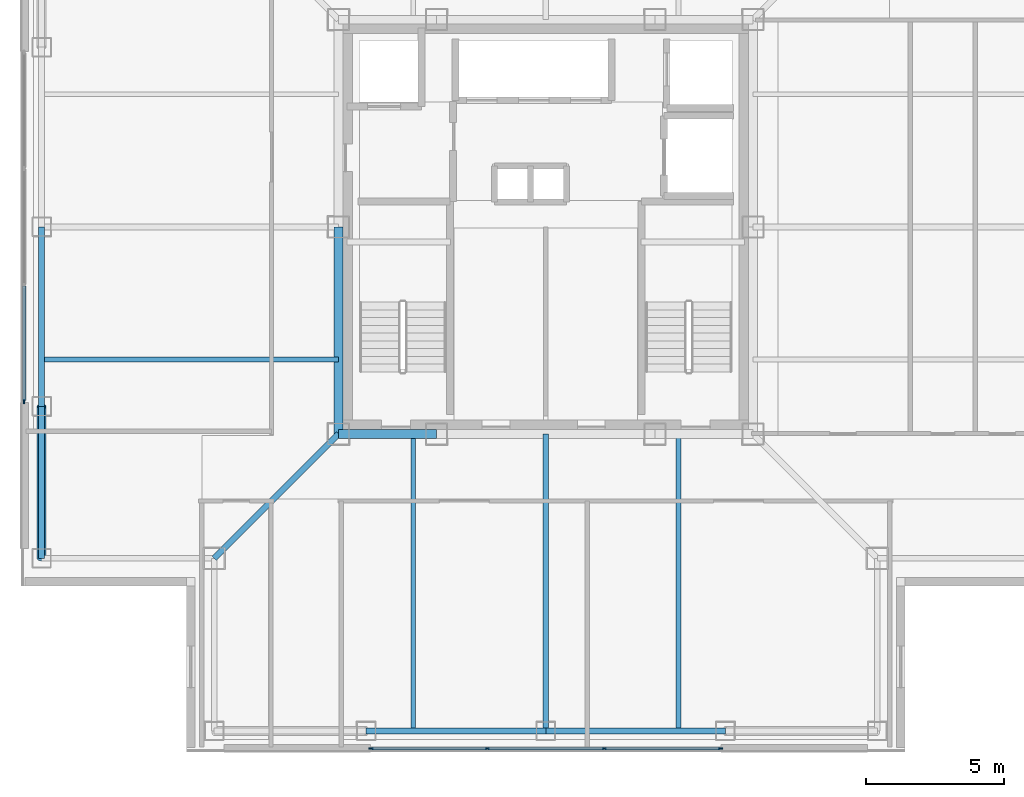
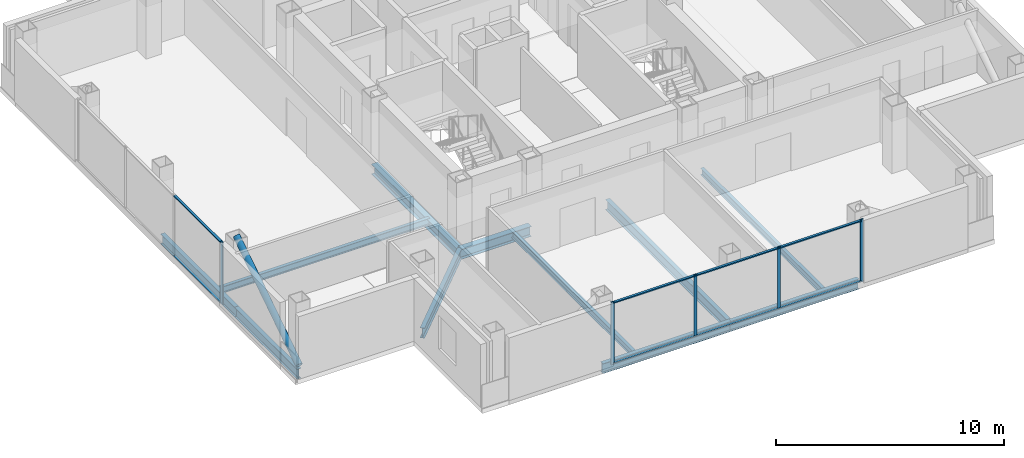
# One storey, part 2 of 16: 14 members, 11 beams, 2 elements without a shape of their own.
"""IFC4 building model written with IfcOpenShell, lengths in metres."""

from ifc_helpers import new_model, si_unit, direction, frame, origin, origin_2d, place, context, subcontext, project, spatial, rectangle, hollow_circle, i_section, extrude, material, layer, layer_set, material_profile, profile_set, type_object, element, aggregate, save


model = new_model("IFC4")

# Units and contexts
model_context = context("Model", 3, precision=1e-05, world=origin(), true_north=direction((0.0, 1.0)))
body_context = subcontext(model_context, "Body", "Model", "MODEL_VIEW")
ifc_project = project(units=[si_unit("LENGTHUNIT", "METRE"), si_unit("AREAUNIT", "SQUARE_METRE"), si_unit("VOLUMEUNIT", "CUBIC_METRE"), si_unit("PLANEANGLEUNIT", "RADIAN"), si_unit("MASSUNIT", "GRAM", prefix="KILO")], contexts=[model_context])

# Site, building, storey
site_placement = place(None, origin())
site = spatial("IfcSite", under=ifc_project, at=site_placement, CompositionType="ELEMENT")
building_placement = place(site_placement, origin())
building = spatial("IfcBuilding", under=site, at=building_placement, Name="Trevonay Congress Spire", CompositionType="ELEMENT")
storey_placement = place(building_placement, frame((0.0, 0.0, 268.39990234375)))
storey = spatial("IfcBuildingStorey", under=building, at=storey_placement, Name="L70", CompositionType="ELEMENT", Elevation=268.39990234375)

# Beams
ifc_material_1 = material(Name="Steel ASTM A572 Grade 50", Category="steel")
ifc_material_profile_1 = material_profile(ifc_material_1, i_section(OverallWidth=0.2119140625, OverallDepth=0.5439453125, WebThickness=0.01318359375, FlangeThickness=0.021240234375, FilletRadius=0.014892578125, at=origin_2d()), Name="W530x123")
ifc_profile_set_1 = profile_set([ifc_material_profile_1], Name="Steel ASTM A572 Grade 50")
beam_type_1 = type_object("IfcBeamType", Name="BM-GIRD-W530X123", PredefinedType="BEAM", material=ifc_profile_set_1)
beam_1_placement = place(storey_placement, frame((-7.5, -7.5, -0.511962890625), z_axis=(-0.707106781187, -0.707106781187, 0.0), x_axis=(0.707106781187, -0.707106781187, 0.0)))
element("IfcBeam", 1, at=beam_1_placement, inside=storey, type_object=beam_type_1, Name="L70 structural beam BM-L70-CDSW", PredefinedType="BEAM", context=body_context, shape_type="SweptSolid", body=[
    extrude(i_section(OverallWidth=0.2119140625, OverallDepth=0.5439453125, WebThickness=0.01318359375, FlangeThickness=0.021240234375, FilletRadius=0.014892578125, at=origin_2d()), origin(), (0.0, 0.0, 1.0), 6.364013671875),
])
beam_2_placement = place(storey_placement, frame((0.0, -7.5, -0.511962890625), z_axis=(0.0, -1.0, 0.0), x_axis=(1.0, 0.0, 0.0)))
element("IfcBeam", 2, at=beam_2_placement, inside=storey, type_object=beam_type_1, Name="L70 structural beam BM-L70-GC-S", PredefinedType="BEAM", context=body_context, shape_type="SweptSolid", body=[
    extrude(i_section(OverallWidth=0.2119140625, OverallDepth=0.5439453125, WebThickness=0.01318359375, FlangeThickness=0.021240234375, FilletRadius=0.014892578125, at=origin_2d()), origin(), (0.0, 0.0, 1.0), 10.75),
])
ifc_material_profile_2 = material_profile(ifc_material_1, i_section(OverallWidth=0.31201171875, OverallDepth=0.54296875, WebThickness=0.0126953125, FlangeThickness=0.020263671875, FilletRadius=0.014892578125, at=origin_2d()), Name="W530x150")
ifc_profile_set_2 = profile_set([ifc_material_profile_2], Name="Steel ASTM A572 Grade 50")
beam_type_2 = type_object("IfcBeamType", Name="BM-GIRD-W530X150", PredefinedType="BEAM", material=ifc_profile_set_2)
beam_3_placement = place(storey_placement, frame((-7.5, -7.5, -0.511474609375), z_axis=(1.0, 0.0, 0.0), x_axis=(0.0, 1.0, 0.0)))
element("IfcBeam", 3, at=beam_3_placement, inside=storey, type_object=beam_type_2, Name="L70 structural beam BM-L70-CR-S1", PredefinedType="BEAM", context=body_context, shape_type="SweptSolid", body=[
    extrude(i_section(OverallWidth=0.31201171875, OverallDepth=0.54296875, WebThickness=0.0126953125, FlangeThickness=0.020263671875, FilletRadius=0.014892578125, at=origin_2d()), origin(), (0.0, 0.0, 1.0), 3.550048828125),
])
beam_4_placement = place(storey_placement, frame((-7.5, -7.5, -0.511474609375), z_axis=(0.0, 1.0, 0.0), x_axis=(-1.0, 0.0, 0.0)))
element("IfcBeam", 4, at=beam_4_placement, inside=storey, type_object=beam_type_2, Name="L70 structural beam BM-L70-CR-W1", PredefinedType="BEAM", context=body_context, shape_type="SweptSolid", body=[
    extrude(i_section(OverallWidth=0.31201171875, OverallDepth=0.54296875, WebThickness=0.0126953125, FlangeThickness=0.020263671875, FilletRadius=0.014892578125, at=origin_2d()), origin(), (0.0, 0.0, 1.0), 7.5),
])
ifc_material_profile_3 = material_profile(ifc_material_1, i_section(OverallWidth=0.208984375, OverallDepth=0.532958984375, WebThickness=0.01025390625, FlangeThickness=0.015625, FilletRadius=0.014892578125, at=origin_2d()), Name="W530x92")
ifc_profile_set_3 = profile_set([ifc_material_profile_3], Name="Steel ASTM A572 Grade 50")
beam_type_3 = type_object("IfcBeamType", Name="BM-RING-W530X92", PredefinedType="BEAM", material=ifc_profile_set_3)
beam_5_placement = place(storey_placement, frame((-18.25, -12.0, -0.50634765625), z_axis=(0.0, 1.0, 0.0), x_axis=(-1.0, 0.0, 0.0)))
element("IfcBeam", 5, at=beam_5_placement, inside=storey, type_object=beam_type_3, Name="L70 structural beam BM-L70-PW1", PredefinedType="BEAM", context=body_context, shape_type="SweptSolid", body=[
    extrude(i_section(OverallWidth=0.208984375, OverallDepth=0.532958984375, WebThickness=0.01025390625, FlangeThickness=0.015625, FilletRadius=0.014892578125, at=origin_2d()), origin(), (0.0, 0.0, 1.0), 5.5),
])
for number, where, z_axis, x_axis, name in (
    (6, (-6.5, -18.25, -0.50634765625), (1.0, 0.0, 0.0), (0.0, 1.0, 0.0), "L70 structural beam BM-L70-PS2"),
    (7, (-18.25, -6.5, -0.50634765625), (0.0, 1.0, 0.0), (-1.0, 0.0, 0.0), "L70 structural beam BM-L70-PW2"),
    (8, (0.0, -18.25, -0.50634765625), (1.0, 0.0, 0.0), (0.0, 1.0, 0.0), "L70 structural beam BM-L70-PS3"),
):
    element("IfcBeam", number, at=place(storey_placement, frame(where, z_axis=z_axis, x_axis=x_axis)), inside=storey, type_object=beam_type_3, Name=name, PredefinedType="BEAM", context=body_context, shape_type="SweptSolid", body=[
        extrude(i_section(OverallWidth=0.208984375, OverallDepth=0.532958984375, WebThickness=0.01025390625, FlangeThickness=0.015625, FilletRadius=0.014892578125, at=origin_2d()), origin(), (0.0, 0.0, 1.0), 6.5),
    ])

# Curtain wall, members
ifc_material_2 = material(Name="Pale Anodised Aluminium EN AW-6063-T6", Category="aluminium")
ifc_layer = layer(ifc_material_2, 0.1650390625, Name="Pale Anodised Aluminium EN AW-6063-T6")
ifc_layer_set = layer_set([ifc_layer], Name="Pale Anodised Aluminium EN AW-6063-T6")
curtain_wall_type = type_object("IfcCurtainWallType", Name="CW-SYS05-DIPLOM-PALE-METAL", PredefinedType="NOTDEFINED", material=ifc_layer_set)
curtain_wall_1_placement = place(storey_placement, origin())
curtain_wall_1 = element("IfcCurtainWall", 9, at=curtain_wall_1_placement, inside=storey, type_object=curtain_wall_type, Name="L70 S unitised curtain wall", PredefinedType="NOTDEFINED")
ifc_material_profile_4 = material_profile(ifc_material_2, rectangle(XDim=0.06005859375, YDim=0.159912109375, at=origin_2d()), Name="CW-MULLION-160-ALUMINIUM")
ifc_profile_set_4 = profile_set([ifc_material_profile_4], Name="Pale Anodised Aluminium EN AW-6063-T6")
member_type_1 = type_object("IfcMemberType", Name="CW-MULLION-160-ALUMINIUM", PredefinedType="MULLION", material=ifc_profile_set_4)
member_1_placement = place(storey_placement, frame((-6.320068359375, -18.8798828125, 0.0), z_axis=(0.0, 0.0, 1.0), x_axis=(0.0, 1.0, 0.0)))
member_1 = element("IfcMember", 10, at=member_1_placement, type_object=member_type_1, Name="CW05 mullion 1", PredefinedType="MULLION", context=body_context, shape_type="SweptSolid", body=[
    extrude(rectangle(XDim=0.06005859375, YDim=0.159912109375, at=origin_2d()), origin(), (0.0, 0.0, 1.0), 3.360107421875),
])
member_2_placement = place(storey_placement, frame((-2.11669921875, -18.8798828125, 0.0), z_axis=(0.0, 0.0, 1.0), x_axis=(0.0, 1.0, 0.0)))
member_2 = element("IfcMember", 11, at=member_2_placement, type_object=member_type_1, Name="CW05 mullion 2", PredefinedType="MULLION", context=body_context, shape_type="SweptSolid", body=[
    extrude(rectangle(XDim=0.06005859375, YDim=0.159912109375, at=origin_2d()), origin(), (0.0, 0.0, 1.0), 3.360107421875),
])
member_3_placement = place(storey_placement, frame((2.11669921875, -18.8798828125, 0.0), z_axis=(0.0, 0.0, 1.0), x_axis=(0.0, 1.0, 0.0)))
member_3 = element("IfcMember", 12, at=member_3_placement, type_object=member_type_1, Name="CW05 mullion 3", PredefinedType="MULLION", context=body_context, shape_type="SweptSolid", body=[
    extrude(rectangle(XDim=0.06005859375, YDim=0.159912109375, at=origin_2d()), origin(), (0.0, 0.0, 1.0), 3.360107421875),
])
member_4_placement = place(storey_placement, frame((6.320068359375, -18.8798828125, 0.0), z_axis=(0.0, 0.0, 1.0), x_axis=(0.0, 1.0, 0.0)))
member_4 = element("IfcMember", 13, at=member_4_placement, type_object=member_type_1, Name="CW05 mullion 4", PredefinedType="MULLION", context=body_context, shape_type="SweptSolid", body=[
    extrude(rectangle(XDim=0.06005859375, YDim=0.159912109375, at=origin_2d()), origin(), (0.0, 0.0, 1.0), 3.360107421875),
])

# Curtain wall, member
curtain_wall_2_placement = place(storey_placement, origin())
curtain_wall_2 = element("IfcCurtainWall", 14, at=curtain_wall_2_placement, inside=storey, type_object=curtain_wall_type, Name="L70 W unitised curtain wall", PredefinedType="NOTDEFINED")
member_5_placement = place(storey_placement, frame((-18.8798828125, -6.320068359375, 0.0), z_axis=(0.0, 0.0, 1.0), x_axis=(-1.0, 0.0, 0.0)))
member_5 = element("IfcMember", 15, at=member_5_placement, type_object=member_type_1, Name="CW05 mullion 1", PredefinedType="MULLION", context=body_context, shape_type="SweptSolid", body=[
    extrude(rectangle(XDim=0.06005859375, YDim=0.159912109375, at=origin_2d()), origin(), (0.0, 0.0, 1.0), 3.360107421875),
])

# Member
ifc_material_profile_5 = material_profile(ifc_material_2, rectangle(XDim=0.1201171875, YDim=0.06005859375, at=origin_2d()), Name="CW-TRANSOM-120-ALUMINIUM")
ifc_profile_set_5 = profile_set([ifc_material_profile_5], Name="Pale Anodised Aluminium EN AW-6063-T6")
member_type_2 = type_object("IfcMemberType", Name="CW-TRANSOM-120-ALUMINIUM", PredefinedType="USERDEFINED", material=ifc_profile_set_5)
member_6_placement = place(storey_placement, frame((-6.2900390625, -18.8798828125, 0.06005859375), z_axis=(1.0, 0.0, 0.0), x_axis=(0.0, 1.0, 0.0)))
member_6 = element("IfcMember", 16, at=member_6_placement, type_object=member_type_2, Name="CW05 transom 1.1", ObjectType="TRANSOM", PredefinedType="USERDEFINED", context=body_context, shape_type="SweptSolid", body=[
    extrude(rectangle(XDim=0.1201171875, YDim=0.06005859375, at=origin_2d()), origin(), (0.0, 0.0, 1.0), 4.143310546875),
])

member_7_placement = place(storey_placement, frame((-6.2900390625, -18.8798828125, 3.300048828125), z_axis=(1.0, 0.0, 0.0), x_axis=(0.0, 1.0, 0.0)))
member_7 = element("IfcMember", 17, at=member_7_placement, type_object=member_type_2, Name="CW05 transom 1.2", ObjectType="TRANSOM", PredefinedType="USERDEFINED", context=body_context, shape_type="SweptSolid", body=[
    extrude(rectangle(XDim=0.1201171875, YDim=0.06005859375, at=origin_2d()), origin(), (0.0, 0.0, 1.0), 4.143310546875),
])

member_8_placement = place(storey_placement, frame((-2.086669921875, -18.8798828125, 0.06005859375), z_axis=(1.0, 0.0, 0.0), x_axis=(0.0, 1.0, 0.0)))
member_8 = element("IfcMember", 18, at=member_8_placement, type_object=member_type_2, Name="CW05 transom 2.1", ObjectType="TRANSOM", PredefinedType="USERDEFINED", context=body_context, shape_type="SweptSolid", body=[
    extrude(rectangle(XDim=0.1201171875, YDim=0.06005859375, at=origin_2d()), origin(), (0.0, 0.0, 1.0), 4.17333984375),
])

member_9_placement = place(storey_placement, frame((-2.086669921875, -18.8798828125, 3.300048828125), z_axis=(1.0, 0.0, 0.0), x_axis=(0.0, 1.0, 0.0)))
member_9 = element("IfcMember", 19, at=member_9_placement, type_object=member_type_2, Name="CW05 transom 2.2", ObjectType="TRANSOM", PredefinedType="USERDEFINED", context=body_context, shape_type="SweptSolid", body=[
    extrude(rectangle(XDim=0.1201171875, YDim=0.06005859375, at=origin_2d()), origin(), (0.0, 0.0, 1.0), 4.17333984375),
])

member_10_placement = place(storey_placement, frame((2.146728515625, -18.8798828125, 0.06005859375), z_axis=(1.0, 0.0, 0.0), x_axis=(0.0, 1.0, 0.0)))
member_10 = element("IfcMember", 20, at=member_10_placement, type_object=member_type_2, Name="CW05 transom 3.1", ObjectType="TRANSOM", PredefinedType="USERDEFINED", context=body_context, shape_type="SweptSolid", body=[
    extrude(rectangle(XDim=0.1201171875, YDim=0.06005859375, at=origin_2d()), origin(), (0.0, 0.0, 1.0), 4.143310546875),
])

member_11_placement = place(storey_placement, frame((2.146728515625, -18.8798828125, 3.300048828125), z_axis=(1.0, 0.0, 0.0), x_axis=(0.0, 1.0, 0.0)))
member_11 = element("IfcMember", 21, at=member_11_placement, type_object=member_type_2, Name="CW05 transom 3.2", ObjectType="TRANSOM", PredefinedType="USERDEFINED", context=body_context, shape_type="SweptSolid", body=[
    extrude(rectangle(XDim=0.1201171875, YDim=0.06005859375, at=origin_2d()), origin(), (0.0, 0.0, 1.0), 4.143310546875),
])

aggregate(curtain_wall_1, [member_1, member_2, member_3, member_4, member_6, member_7, member_8, member_9, member_10, member_11])

member_12_placement = place(storey_placement, frame((-18.8798828125, -6.2900390625, 0.06005859375), z_axis=(0.0, 1.0, 0.0), x_axis=(-1.0, 0.0, 0.0)))
member_12 = element("IfcMember", 22, at=member_12_placement, type_object=member_type_2, Name="CW05 transom 1.1", ObjectType="TRANSOM", PredefinedType="USERDEFINED", context=body_context, shape_type="SweptSolid", body=[
    extrude(rectangle(XDim=0.1201171875, YDim=0.06005859375, at=origin_2d()), origin(), (0.0, 0.0, 1.0), 4.143310546875),
])

member_13_placement = place(storey_placement, frame((-18.8798828125, -6.2900390625, 3.300048828125), z_axis=(0.0, 1.0, 0.0), x_axis=(-1.0, 0.0, 0.0)))
member_13 = element("IfcMember", 23, at=member_13_placement, type_object=member_type_2, Name="CW05 transom 1.2", ObjectType="TRANSOM", PredefinedType="USERDEFINED", context=body_context, shape_type="SweptSolid", body=[
    extrude(rectangle(XDim=0.1201171875, YDim=0.06005859375, at=origin_2d()), origin(), (0.0, 0.0, 1.0), 4.143310546875),
])

aggregate(curtain_wall_2, [member_5, member_12, member_13])

# Beams
ifc_material_profile_6 = material_profile(ifc_material_1, i_section(OverallWidth=0.172119140625, OverallDepth=0.35791015625, WebThickness=0.0078125, FlangeThickness=0.01318359375, FilletRadius=0.011962890625, at=origin_2d()), Name="W360x57.8")
ifc_profile_set_6 = profile_set([ifc_material_profile_6], Name="Steel ASTM A572 Grade 50")
beam_type_4 = type_object("IfcBeamType", Name="JS-COMP-W360X57", PredefinedType="JOIST", material=ifc_profile_set_6)
for number, where, z_axis, x_axis, name in (
    (24, (-4.800048828125, -18.25, -0.4189453125), (0.0, 1.0, 0.0), (-1.0, 0.0, 0.0), "L70 structural beam JS-L70-NS-S1"),
    (25, (-18.25, -4.800048828125, -0.4189453125), (1.0, 0.0, 0.0), (0.0, 1.0, 0.0), "L70 structural beam JS-L70-EW-W1"),
    (26, (4.800048828125, -18.25, -0.4189453125), (0.0, 1.0, 0.0), (-1.0, 0.0, 0.0), "L70 structural beam JS-L70-NS-S3"),
):
    element("IfcBeam", number, at=place(storey_placement, frame(where, z_axis=z_axis, x_axis=x_axis)), inside=storey, type_object=beam_type_4, Name=name, PredefinedType="JOIST", context=body_context, shape_type="SweptSolid", body=[
        extrude(i_section(OverallWidth=0.172119140625, OverallDepth=0.35791015625, WebThickness=0.0078125, FlangeThickness=0.01318359375, FilletRadius=0.011962890625, at=origin_2d()), origin(), (0.0, 0.0, 1.0), 10.75),
    ])

# Member
ifc_material_3 = material(Name="Steel ASTM A500 Grade C", Category="steel")
ifc_material_profile_7 = material_profile(ifc_material_3, hollow_circle(Radius=0.161865234375, WallThickness=0.01611328125, at=origin_2d()), Name="CHS 323.9x16")
ifc_profile_set_7 = profile_set([ifc_material_profile_7], Name="Steel ASTM A500 Grade C")
member_type_3 = type_object("IfcMemberType", Name="MBR-TUBE-CHS324", PredefinedType="BRACE", material=ifc_profile_set_7)
member_14_placement = place(storey_placement, frame((-18.25, -12.0, -0.0498046875), z_axis=(0.0, 0.836711728151, 0.547643573845), x_axis=(-1.0, 0.0, 0.0)))
element("IfcMember", 27, at=member_14_placement, inside=storey, type_object=member_type_3, Name="L70 perimeter braced-tube diagonal W0", PredefinedType="BRACE", context=body_context, shape_type="SweptSolid", body=[
    extrude(hollow_circle(Radius=0.161865234375, WallThickness=0.01611328125, at=origin_2d()), origin(), (0.0, 0.0, 1.0), 6.5732421875),
])

save(model, "model.ifc")
